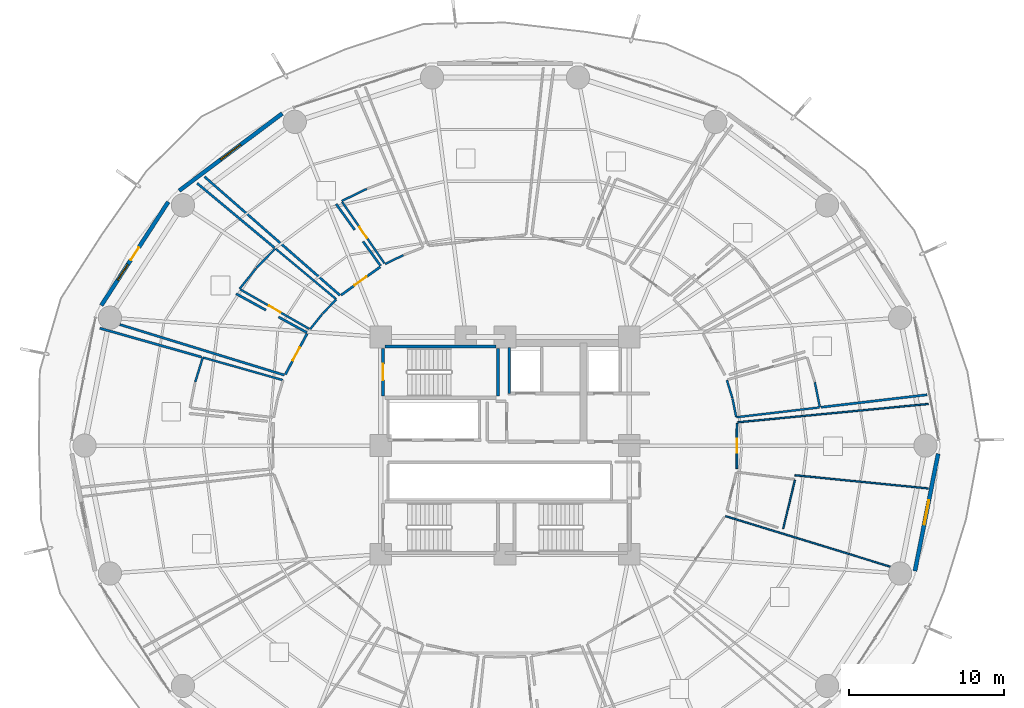
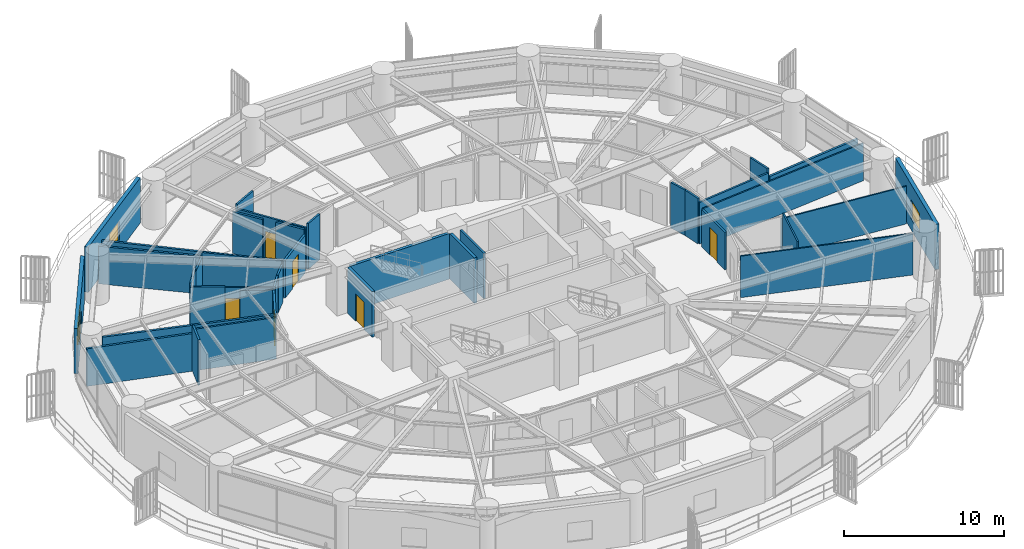
# One storey, part 24 of 32: 38 walls, 7 doors, 3 windows, 10 openings.
"""IFC4 building model written with IfcOpenShell, lengths in metres."""

from ifc_helpers import new_model, si_unit, direction, frame, frame_2d, origin, place, context, subcontext, project, spatial, rectangle, extrude, material, layer, layer_set, type_object, element, fill, save


model = new_model("IFC4")

# Units and contexts
model_context = context("Model", 3, precision=1e-05, world=origin(), true_north=direction((0.0, 1.0)))
body_context = subcontext(model_context, "Body", "Model", "MODEL_VIEW")
ifc_project = project(units=[si_unit("LENGTHUNIT", "METRE"), si_unit("AREAUNIT", "SQUARE_METRE"), si_unit("VOLUMEUNIT", "CUBIC_METRE"), si_unit("PLANEANGLEUNIT", "RADIAN"), si_unit("MASSUNIT", "GRAM", prefix="KILO")], contexts=[model_context])

# Site, building, storey
site_placement = place(None, origin())
site = spatial("IfcSite", under=ifc_project, at=site_placement, CompositionType="ELEMENT")
building_placement = place(site_placement, origin())
building = spatial("IfcBuilding", under=site, at=building_placement, Name="Kelanora Arch Commons", CompositionType="ELEMENT")
storey_placement = place(building_placement, frame((0.0, 0.0, 48.75)))
storey = spatial("IfcBuildingStorey", under=building, at=storey_placement, Name="L12", CompositionType="ELEMENT", Elevation=48.75)

# Wall
ifc_material_1 = material(Name="Autoclaved aerated concrete blockwork with fire plaster", Category="masonry")
ifc_layer_1 = layer(ifc_material_1, 0.14990234375)
ifc_layer_set_1 = layer_set([ifc_layer_1], Name="Autoclaved aerated concrete blockwork with fire plaster")
wall_type_1 = type_object("IfcWallType", Name="W-COMP-150", PredefinedType="PARTITIONING", material=ifc_layer_set_1)
wall_1_placement = place(storey_placement, frame((74.280029296875, 61.35009765625, 0.0), z_axis=(0.0, 0.0, 1.0), x_axis=(0.0, 1.0, 0.0)))
element("IfcWall", 1, at=wall_1_placement, inside=storey, type_object=wall_type_1, Name="Firefighting Lift 1 West Shaft Wall L12", PredefinedType="PARTITIONING", context=body_context, shape_type="SweptSolid", body=[
    extrude(rectangle(XDim=2.969970703125, YDim=0.14990234375, at=frame_2d((1.48486328125, 0.0))), origin(), (0.0, 0.0, 1.0), 3.47998046875),
])

# Wall, opening, door
wall_2_placement = place(storey_placement, frame((65.96337890625, 69.510986328125, 0.0), z_axis=(0.0, 0.0, 1.0), x_axis=(-0.811021116066, -0.585016879496, 0.0)))
wall_2 = element("IfcWall", 2, at=wall_2_placement, inside=storey, type_object=wall_type_1, Name="Co-Living Studio L12-05 Entry Partition", PredefinedType="PARTITIONING", context=body_context, shape_type="SweptSolid", body=[
    extrude(rectangle(XDim=3.105712890625, YDim=0.14990234375, at=frame_2d((1.552734375, 0.0))), origin(), (0.0, 0.0, 1.0), 2.875),
])
opening_1_placement = place(wall_2_placement, frame((1.077880859375, 0.0, 0.0)))
opening_1 = element("IfcOpeningElement", 3, at=opening_1_placement, cuts=wall_2, Name="Opening D-CLU1", PredefinedType="OPENING", context=body_context, shape_type="SweptSolid", body=[
    extrude(rectangle(XDim=0.949951171875, YDim=2.080078125, at=frame_2d((0.47509765625, 1.0400390625))), frame((0.0, 0.0849609375, 0.0), z_axis=(0.0, -1.0, 0.0), x_axis=(1.0, 0.0, 0.0)), (0.0, 0.0, 1.0), 0.169921875),
])
ifc_material_2 = material(Name="Solid-core acoustic timber cluster entry fire door", Category="wood")
door_type_1 = type_object("IfcDoorType", Name="D-CLU-95", OperationType="NOTDEFINED", PredefinedType="DOOR", material=ifc_material_2)
door_1_placement = place(opening_1_placement, origin())
door_1 = element("IfcDoor", 4, at=door_1_placement, inside=storey, type_object=door_type_1, Name="Co-Living Studio L12-05 Door", OperationType="SINGLE_SWING_RIGHT", OverallHeight=2.080078125, OverallWidth=0.949951171875, PredefinedType="DOOR", context=body_context, shape_type="SweptSolid", body=[
    extrude(rectangle(XDim=0.949951171875, YDim=2.080078125, at=frame_2d((0.47509765625, 1.0400390625))), frame((0.0, 0.02490234375, 0.0), z_axis=(0.0, -1.0, 0.0), x_axis=(1.0, 0.0, 0.0)), (0.0, 0.0, 1.0), 0.050048828125),
])
fill(opening_1, door_1)

wall_3_placement = place(storey_placement, frame((61.250732421875, 65.2060546875, 0.0), z_axis=(0.0, 0.0, 1.0), x_axis=(-0.470332327533, -0.882489377657, 0.0)))
wall_3 = element("IfcWall", 5, at=wall_3_placement, inside=storey, type_object=wall_type_1, Name="Co-Living Studio L12-06 Entry Partition", PredefinedType="PARTITIONING", context=body_context, shape_type="SweptSolid", body=[
    extrude(rectangle(XDim=2.97119140625, YDim=0.14990234375, at=frame_2d((1.485595703125, 0.0))), origin(), (0.0, 0.0, 1.0), 2.875),
])
opening_2_placement = place(wall_3_placement, frame((1.010986328125, 0.0, 0.0)))
opening_2 = element("IfcOpeningElement", 6, at=opening_2_placement, cuts=wall_3, Name="Opening D-CLU1", PredefinedType="OPENING", context=body_context, shape_type="SweptSolid", body=[
    extrude(rectangle(XDim=0.949951171875, YDim=2.080078125, at=frame_2d((0.47509765625, 1.0400390625))), frame((0.0, 0.0849609375, 0.0), z_axis=(0.0, -1.0, 0.0), x_axis=(1.0, 0.0, 0.0)), (0.0, 0.0, 1.0), 0.169921875),
])
door_2_placement = place(opening_2_placement, origin())
door_2 = element("IfcDoor", 7, at=door_2_placement, inside=storey, type_object=door_type_1, Name="Co-Living Studio L12-06 Door", OperationType="SINGLE_SWING_RIGHT", OverallHeight=2.080078125, OverallWidth=0.949951171875, PredefinedType="DOOR", context=body_context, shape_type="SweptSolid", body=[
    extrude(rectangle(XDim=0.949951171875, YDim=2.080078125, at=frame_2d((0.47509765625, 1.0400390625))), frame((0.0, 0.02490234375, 0.0), z_axis=(0.0, -1.0, 0.0), x_axis=(1.0, 0.0, 0.0)), (0.0, 0.0, 1.0), 0.050048828125),
])
fill(opening_2, door_2)

# Walls
wall_4_placement = place(storey_placement, frame((101.1923828125, 61.275390625, 0.0), z_axis=(0.0, 0.0, 1.0), x_axis=(-0.993130233211, -0.117014272133, 0.0)))
element("IfcWall", 8, at=wall_4_placement, inside=storey, type_object=wall_type_1, Name="Co-Living Studio L12-01 Enclosure Partition 5", PredefinedType="PARTITIONING", context=body_context, shape_type="SweptSolid", body=[
    extrude(rectangle(XDim=6.876953125, YDim=0.14990234375, at=frame_2d((3.4384765625, 0.0))), origin(), (0.0, 0.0, 1.0), 2.875),
])
wall_5_placement = place(storey_placement, frame((63.365966796875, 67.685302734375, 0.0), z_axis=(0.0, 0.0, 1.0), x_axis=(-0.752403187404, 0.658702849231, 0.0)))
element("IfcWall", 9, at=wall_5_placement, inside=storey, type_object=wall_type_1, Name="Co-Living Studio L12-05 Enclosure Partition 2", PredefinedType="PARTITIONING", context=body_context, shape_type="SweptSolid", body=[
    extrude(rectangle(XDim=11.5947265625, YDim=0.14990234375, at=frame_2d((5.79736328125, 0.0))), origin(), (0.0, 0.0, 1.0), 2.875),
])
wall_6_placement = place(storey_placement, frame((63.123291015625, 73.5576171875, 0.0), z_axis=(0.0, 0.0, 1.0), x_axis=(0.58432672942, -0.811518498425, 0.0)))
element("IfcWall", 10, at=wall_6_placement, inside=storey, type_object=wall_type_1, Name="Co-Living Studio L12-05 Enclosure Partition 7", PredefinedType="PARTITIONING", context=body_context, shape_type="SweptSolid", body=[
    extrude(rectangle(XDim=2.046142578125, YDim=0.14990234375, at=frame_2d((1.02294921875, 0.0))), origin(), (0.0, 0.0, 1.0), 3.175048828125),
])
wall_7_placement = place(storey_placement, frame((64.856689453125, 71.150634765625, 0.0), z_axis=(0.0, 0.0, 1.0), x_axis=(0.584298085417, -0.811539122519, 0.0)))
element("IfcWall", 11, at=wall_7_placement, inside=storey, type_object=wall_type_1, Name="Co-Living Studio L12-05 Enclosure Partition 7", PredefinedType="PARTITIONING", context=body_context, shape_type="SweptSolid", body=[
    extrude(rectangle(XDim=1.93701171875, YDim=0.14990234375, at=frame_2d((0.968505859375, 0.0))), origin(), (0.0, 0.0, 1.0), 3.235107421875),
])
wall_8_placement = place(storey_placement, frame((59.786865234375, 62.542724609375, 0.0), z_axis=(0.0, 0.0, 1.0), x_axis=(-0.955941269752, 0.29355798198, 0.0)))
element("IfcWall", 12, at=wall_8_placement, inside=storey, type_object=wall_type_1, Name="Co-Living Studio L12-06 Enclosure Partition 2", PredefinedType="PARTITIONING", context=body_context, shape_type="SweptSolid", body=[
    extrude(rectangle(XDim=11.08349609375, YDim=0.14990234375, at=frame_2d((5.541748046875, 0.0))), origin(), (0.0, 0.0, 1.0), 3.175048828125),
])
wall_9_placement = place(storey_placement, frame((54.172607421875, 74.896484375, 0.0), z_axis=(0.0, 0.0, 1.0), x_axis=(0.768100814479, -0.640328930157, 0.0)))
element("IfcWall", 13, at=wall_9_placement, inside=storey, type_object=wall_type_1, Name="Co-Living Studio L12-06 Enclosure Partition 5", PredefinedType="PARTITIONING", context=body_context, shape_type="SweptSolid", body=[
    extrude(rectangle(XDim=6.479248046875, YDim=0.14990234375, at=frame_2d((3.23974609375, 0.0))), origin(), (0.0, 0.0, 1.0), 2.875),
])
wall_10_placement = place(storey_placement, frame((56.677978515625, 67.78271484375, 0.0), z_axis=(0.0, 0.0, 1.0), x_axis=(0.876780673324, -0.480890477017, 0.0)))
element("IfcWall", 14, at=wall_10_placement, inside=storey, type_object=wall_type_1, Name="Co-Living Studio L12-06 Enclosure Partition 7", PredefinedType="PARTITIONING", context=body_context, shape_type="SweptSolid", body=[
    extrude(rectangle(XDim=2.197265625, YDim=0.14990234375, at=frame_2d((1.0986328125, 0.0))), origin(), (0.0, 0.0, 1.0), 3.175048828125),
])
wall_11_placement = place(storey_placement, frame((59.411376953125, 66.283447265625, 0.0), z_axis=(0.0, 0.0, 1.0), x_axis=(0.876772690424, -0.480905031505, 0.0)))
element("IfcWall", 15, at=wall_11_placement, inside=storey, type_object=wall_type_1, Name="Co-Living Studio L12-06 Enclosure Partition 7", PredefinedType="PARTITIONING", context=body_context, shape_type="SweptSolid", body=[
    extrude(rectangle(XDim=2.090087890625, YDim=0.14990234375, at=frame_2d((1.044921875, 0.0))), origin(), (0.0, 0.0, 1.0), 2.875),
])
wall_12_placement = place(storey_placement, frame((47.905517578125, 65.56005859375, 0.0), z_axis=(0.0, 0.0, 1.0), x_axis=(0.962107451281, -0.272670592821, 0.0)))
element("IfcWall", 16, at=wall_12_placement, inside=storey, type_object=wall_type_1, Name="Co-Living Studio L12-07 Enclosure Partition 5", PredefinedType="PARTITIONING", context=body_context, shape_type="SweptSolid", body=[
    extrude(rectangle(XDim=6.81103515625, YDim=0.14990234375, at=frame_2d((3.405517578125, 0.0))), origin(), (0.0, 0.0, 1.0), 2.875),
])

# Wall, opening, window
ifc_material_3 = material(Name="Precast concrete C40/50 with terracotta rainscreen", Category="masonry")
ifc_layer_2 = layer(ifc_material_3, 0.260009765625)
ifc_layer_set_2 = layer_set([ifc_layer_2], Name="Precast concrete C40/50 with terracotta rainscreen")
wall_type_2 = type_object("IfcWallType", Name="W-EXT-TC", PredefinedType="SOLIDWALL", material=ifc_layer_set_2)
wall_13_placement = place(storey_placement, frame((59.651123046875, 79.38916015625, 0.0), z_axis=(0.0, 0.0, 1.0), x_axis=(-0.80030733173, -0.599590005569, 0.0)))
wall_13 = element("IfcWall", 17, at=wall_13_placement, inside=storey, type_object=wall_type_2, Name="Terracotta Exterior Wall L12-B06", PredefinedType="SOLIDWALL", context=body_context, shape_type="SweptSolid", body=[
    extrude(rectangle(XDim=8.29052734375, YDim=0.260009765625, at=frame_2d((4.145263671875, 0.0))), origin(), (0.0, 0.0, 1.0), 3.47509765625),
])
opening_3_placement = place(wall_13_placement, frame((3.344970703125, 0.0, 0.85009765625)))
opening_3 = element("IfcOpeningElement", 18, at=opening_3_placement, cuts=wall_13, Name="Opening WN-01", PredefinedType="OPENING", context=body_context, shape_type="SweptSolid", body=[
    extrude(rectangle(XDim=1.60009765625, YDim=1.449951171875, at=frame_2d((0.800048828125, 0.72509765625))), frame((0.0, 0.14013671875, 0.0), z_axis=(0.0, -1.0, 0.0), x_axis=(1.0, 0.0, 0.0)), (0.0, 0.0, 1.0), 0.280029296875),
])
ifc_material_4 = material(Name="Terracotta-anodised aluminium frame with operable low-E glazing", Category="masonry")
window_type_1 = type_object("IfcWindowType", Name="WIN-CL-18", PartitioningType="DOUBLE_PANEL_VERTICAL", PredefinedType="WINDOW", material=ifc_material_4)
window_1_placement = place(opening_3_placement, origin())
window_1 = element("IfcWindow", 19, at=window_1_placement, inside=storey, type_object=window_type_1, Name="Co-Living Operable Window L12-B06", OverallHeight=1.449951171875, OverallWidth=1.60009765625, PartitioningType="SINGLE_PANEL", PredefinedType="WINDOW", context=body_context, shape_type="SweptSolid", body=[
    extrude(rectangle(XDim=1.60009765625, YDim=1.449951171875, at=frame_2d((0.800048828125, 0.72509765625))), frame((0.0, 0.030029296875, 0.0), z_axis=(0.0, -1.0, 0.0), x_axis=(1.0, 0.0, 0.0)), (0.0, 0.0, 1.0), 0.06005859375),
])
fill(opening_3, window_1)

# Wall, openings, door, window
wall_14_placement = place(storey_placement, frame((52.310791015625, 73.698486328125, 0.0), z_axis=(0.0, 0.0, 1.0), x_axis=(-0.543005114258, -0.839729388488, 0.0)))
wall_14 = element("IfcWall", 20, at=wall_14_placement, inside=storey, type_object=wall_type_2, Name="Terracotta Exterior Wall L12-B07", PredefinedType="SOLIDWALL", context=body_context, shape_type="SweptSolid", body=[
    extrude(rectangle(XDim=7.9375, YDim=0.260009765625, at=frame_2d((3.96875, 0.0))), origin(), (0.0, 0.0, 1.0), 3.47509765625),
])
opening_4_placement = place(wall_14_placement, frame((3.493896484375, 0.0, 0.0)))
opening_4 = element("IfcOpeningElement", 21, at=opening_4_placement, cuts=wall_14, Name="Opening DB-01", PredefinedType="OPENING", context=body_context, shape_type="SweptSolid", body=[
    extrude(rectangle(XDim=0.949951171875, YDim=2.10009765625, at=frame_2d((0.47509765625, 1.050048828125))), frame((0.0, 0.14013671875, 0.0), z_axis=(0.0, -1.0, 0.0), x_axis=(1.0, 0.0, 0.0)), (0.0, 0.0, 1.0), 0.280029296875),
])
opening_5_placement = place(wall_14_placement, frame((4.7939453125, 0.0, 0.85009765625)))
opening_5 = element("IfcOpeningElement", 22, at=opening_5_placement, cuts=wall_14, Name="Opening WN-02", PredefinedType="OPENING", context=body_context, shape_type="SweptSolid", body=[
    extrude(rectangle(XDim=1.199951171875, YDim=1.449951171875, at=frame_2d((0.60009765625, 0.72509765625))), frame((0.0, 0.14013671875, 0.0), z_axis=(0.0, -1.0, 0.0), x_axis=(1.0, 0.0, 0.0)), (0.0, 0.0, 1.0), 0.280029296875),
])
ifc_material_5 = material(Name="Terracotta-aluminium thermally broken glazed balcony door", Category="masonry")
door_type_2 = type_object("IfcDoorType", Name="D-BAL-10", OperationType="NOTDEFINED", PredefinedType="DOOR", material=ifc_material_5)
door_3_placement = place(opening_4_placement, frame((0.949951171875, 0.0, 0.0), z_axis=(0.0, 0.0, 1.0), x_axis=(-1.0, 0.0, 0.0)))
door_3 = element("IfcDoor", 23, at=door_3_placement, inside=storey, type_object=door_type_2, Name="Wave Balcony Door L12-B07", OperationType="SINGLE_SWING_RIGHT", OverallHeight=2.10009765625, OverallWidth=0.949951171875, PredefinedType="DOOR", context=body_context, shape_type="SweptSolid", body=[
    extrude(rectangle(XDim=0.949951171875, YDim=2.10009765625, at=frame_2d((0.47509765625, 1.050048828125))), frame((0.0, 0.02490234375, 0.0), z_axis=(0.0, -1.0, 0.0), x_axis=(1.0, 0.0, 0.0)), (0.0, 0.0, 1.0), 0.050048828125),
])
fill(opening_4, door_3)
ifc_material_6 = material(Name="Terracotta-anodised aluminium frame with operable awning sash", Category="masonry")
window_type_2 = type_object("IfcWindowType", Name="WIN-CL-12", PartitioningType="SINGLE_PANEL", PredefinedType="WINDOW", material=ifc_material_6)
window_2_placement = place(opening_5_placement, origin())
window_2 = element("IfcWindow", 24, at=window_2_placement, inside=storey, type_object=window_type_2, Name="Co-Living Operable Window L12-B07", OverallHeight=1.449951171875, OverallWidth=1.199951171875, PartitioningType="SINGLE_PANEL", PredefinedType="WINDOW", context=body_context, shape_type="SweptSolid", body=[
    extrude(rectangle(XDim=1.199951171875, YDim=1.449951171875, at=frame_2d((0.60009765625, 0.72509765625))), frame((0.0, 0.030029296875, 0.0), z_axis=(0.0, -1.0, 0.0), x_axis=(1.0, 0.0, 0.0)), (0.0, 0.0, 1.0), 0.06005859375),
])
fill(opening_5, window_2)

# Wall, opening, window
wall_15_placement = place(storey_placement, frame((100.404296875, 49.919921875, 0.0), z_axis=(0.0, 0.0, 1.0), x_axis=(0.193726159581, 0.98105564322, 0.0)))
wall_15 = element("IfcWall", 25, at=wall_15_placement, inside=storey, type_object=wall_type_2, Name="Terracotta Exterior Wall L12-B17", PredefinedType="SOLIDWALL", context=body_context, shape_type="SweptSolid", body=[
    extrude(rectangle(XDim=7.70263671875, YDim=0.260009765625, at=frame_2d((3.851318359375, 0.0))), origin(), (0.0, 0.0, 1.0), 3.47509765625),
])
opening_6_placement = place(wall_15_placement, frame((3.051025390625, 0.0, 0.85009765625)))
opening_6 = element("IfcOpeningElement", 26, at=opening_6_placement, cuts=wall_15, Name="Opening WN-01", PredefinedType="OPENING", context=body_context, shape_type="SweptSolid", body=[
    extrude(rectangle(XDim=1.60009765625, YDim=1.449951171875, at=frame_2d((0.800048828125, 0.72509765625))), frame((0.0, 0.14013671875, 0.0), z_axis=(0.0, -1.0, 0.0), x_axis=(1.0, 0.0, 0.0)), (0.0, 0.0, 1.0), 0.280029296875),
])
window_3_placement = place(opening_6_placement, origin())
window_3 = element("IfcWindow", 27, at=window_3_placement, inside=storey, type_object=window_type_1, Name="Co-Living Operable Window L12-B17", OverallHeight=1.449951171875, OverallWidth=1.60009765625, PartitioningType="SINGLE_PANEL", PredefinedType="WINDOW", context=body_context, shape_type="SweptSolid", body=[
    extrude(rectangle(XDim=1.60009765625, YDim=1.449951171875, at=frame_2d((0.800048828125, 0.72509765625))), frame((0.0, 0.030029296875, 0.0), z_axis=(0.0, -1.0, 0.0), x_axis=(1.0, 0.0, 0.0)), (0.0, 0.0, 1.0), 0.06005859375),
])
fill(opening_6, window_3)

# Walls
ifc_material_7 = material(Name="Lightweight fire-rated acoustic stud partition")
ifc_layer_3 = layer(ifc_material_7, 0.10009765625)
ifc_layer_set_3 = layer_set([ifc_layer_3], Name="Lightweight fire-rated acoustic stud partition")
wall_type_3 = type_object("IfcWallType", Name="W-PART-100", PredefinedType="PARTITIONING", material=ifc_layer_set_3)
wall_16_placement = place(storey_placement, frame((88.213134765625, 53.457275390625, 0.0), z_axis=(0.0, 0.0, 1.0), x_axis=(0.955941269752, -0.29355798198, 0.0)))
element("IfcWall", 28, at=wall_16_placement, inside=storey, type_object=wall_type_3, Name="Quiet Seminar Study Room L12-13 Enclosure Partition 2", PredefinedType="PARTITIONING", context=body_context, shape_type="SweptSolid", body=[
    extrude(rectangle(XDim=11.08349609375, YDim=0.10009765625, at=frame_2d((5.541748046875, 0.0))), origin(), (0.0, 0.0, 1.0), 3.175048828125),
])
wall_17_placement = place(storey_placement, frame((92.672607421875, 55.783203125, 0.0), z_axis=(0.0, 0.0, 1.0), x_axis=(-0.234509762348, -0.97211376462, 0.0)))
element("IfcWall", 29, at=wall_17_placement, inside=storey, type_object=wall_type_3, Name="Student Laundry Room L12-14 Enclosure Partition 3", PredefinedType="PARTITIONING", context=body_context, shape_type="SweptSolid", body=[
    extrude(rectangle(XDim=3.22412109375, YDim=0.10009765625, at=frame_2d((1.612060546875, 0.0))), origin(), (0.0, 0.0, 1.0), 3.47998046875),
])
wall_18_placement = place(storey_placement, frame((88.978759765625, 59.499755859375, 0.0), z_axis=(0.0, 0.0, 1.0), x_axis=(0.995408087514, 0.095722198638, 0.0)))
element("IfcWall", 30, at=wall_18_placement, inside=storey, type_object=wall_type_3, Name="Quiet Reading Carrel L12-14 Enclosure Partition 2", PredefinedType="PARTITIONING", context=body_context, shape_type="SweptSolid", body=[
    extrude(rectangle(XDim=12.35205078125, YDim=0.10009765625, at=frame_2d((6.176025390625, 0.0))), origin(), (0.0, 0.0, 1.0), 2.875),
])
wall_19_placement = place(storey_placement, frame((101.26416015625, 55.240966796875, 0.0), z_axis=(0.0, 0.0, 1.0), x_axis=(-0.995131682946, 0.098554216532, 0.0)))
element("IfcWall", 31, at=wall_19_placement, inside=storey, type_object=wall_type_3, Name="Quiet Reading Carrel L12-14 Enclosure Partition 4", PredefinedType="PARTITIONING", context=body_context, shape_type="SweptSolid", body=[
    extrude(rectangle(XDim=8.630615234375, YDim=0.10009765625, at=frame_2d((4.3154296875, 0.0))), origin(), (0.0, 0.0, 1.0), 2.875),
])

# Wall, opening, door
ifc_material_8 = material(Name="Acoustic twin-stud fire-rated gypsum partition")
ifc_layer_4 = layer(ifc_material_8, 0.1201171875)
ifc_layer_set_4 = layer_set([ifc_layer_4], Name="Acoustic twin-stud fire-rated gypsum partition")
wall_type_4 = type_object("IfcWallType", Name="W-PART-120", PredefinedType="PARTITIONING", material=ifc_layer_set_4)
wall_20_placement = place(storey_placement, frame((88.93408203125, 56.52197265625, 0.0), z_axis=(0.0, 0.0, 1.0), x_axis=(0.001675600865, 0.99999859618, 0.0)))
wall_20 = element("IfcWall", 32, at=wall_20_placement, inside=storey, type_object=wall_type_4, Name="Quiet Reading Carrel L12-14 Entry Partition", PredefinedType="PARTITIONING", context=body_context, shape_type="SweptSolid", body=[
    extrude(rectangle(XDim=2.9140625, YDim=0.1201171875, at=frame_2d((1.45703125, 0.0))), origin(), (0.0, 0.0, 1.0), 2.875),
])
opening_7_placement = place(wall_20_placement, frame((1.007080078125, 0.0, 0.0)))
opening_7 = element("IfcOpeningElement", 33, at=opening_7_placement, cuts=wall_20, Name="Opening D-RM1", PredefinedType="OPENING", context=body_context, shape_type="SweptSolid", body=[
    extrude(rectangle(XDim=0.89990234375, YDim=2.080078125, at=frame_2d((0.449951171875, 1.0400390625))), frame((0.0, 0.070068359375, 0.0), z_axis=(0.0, -1.0, 0.0), x_axis=(1.0, 0.0, 0.0)), (0.0, 0.0, 1.0), 0.14013671875),
])
ifc_material_9 = material(Name="Acoustic fire-rated timber study and lounge door", Category="wood")
door_type_3 = type_object("IfcDoorType", Name="D-ROOM-90", OperationType="NOTDEFINED", PredefinedType="DOOR", material=ifc_material_9)
door_4_placement = place(opening_7_placement, origin())
door_4 = element("IfcDoor", 34, at=door_4_placement, inside=storey, type_object=door_type_3, Name="Quiet Reading Carrel L12-14 Door", OperationType="SINGLE_SWING_RIGHT", OverallHeight=2.080078125, OverallWidth=0.89990234375, PredefinedType="DOOR", context=body_context, shape_type="SweptSolid", body=[
    extrude(rectangle(XDim=0.89990234375, YDim=2.080078125, at=frame_2d((0.449951171875, 1.0400390625))), frame((0.0, 0.02490234375, 0.0), z_axis=(0.0, -1.0, 0.0), x_axis=(1.0, 0.0, 0.0)), (0.0, 0.0, 1.0), 0.050048828125),
])
fill(opening_7, door_4)

# Walls
ifc_material_10 = material(Name="Concrete C40/50", Category="concrete")
ifc_layer_5 = layer(ifc_material_10, 0.199951171875)
ifc_layer_set_5 = layer_set([ifc_layer_5], Name="Concrete C40/50")
wall_type_5 = type_object("IfcWallType", Name="W-STAIR-200", PredefinedType="SHEAR", material=ifc_layer_set_5)
wall_21_placement = place(storey_placement, frame((73.5400390625, 61.199951171875, 0.0), z_axis=(0.0, 0.0, 1.0), x_axis=(0.0, 1.0, 0.0)))
element("IfcWall", 35, at=wall_21_placement, inside=storey, type_object=wall_type_5, Name="Stair ST-T1 Shaft Wall E L12", PredefinedType="SHEAR", context=body_context, shape_type="SweptSolid", body=[
    extrude(rectangle(XDim=3.070068359375, YDim=0.199951171875, at=frame_2d((1.53515625, 0.0))), origin(), (0.0, 0.0, 1.0), 3.489990234375),
])
wall_22_placement = place(storey_placement, frame((73.419921875, 64.389892578125, 0.0), z_axis=(0.0, 0.0, 1.0), x_axis=(-1.0, 0.0, 0.0)))
element("IfcWall", 36, at=wall_22_placement, inside=storey, type_object=wall_type_5, Name="Stair ST-T1 Shaft Wall N L12", PredefinedType="SHEAR", context=body_context, shape_type="SweptSolid", body=[
    extrude(rectangle(XDim=7.159912109375, YDim=0.199951171875, at=frame_2d((3.580078125, 0.0))), origin(), (0.0, 0.0, 1.0), 3.489990234375),
])

# Wall, opening, door
wall_23_placement = place(storey_placement, frame((66.139892578125, 64.27001953125, 0.0), z_axis=(0.0, 0.0, 1.0), x_axis=(0.0, -1.0, 0.0)))
wall_23 = element("IfcWall", 37, at=wall_23_placement, inside=storey, type_object=wall_type_5, Name="Stair ST-T1 Shaft Wall W L12", PredefinedType="SHEAR", context=body_context, shape_type="SweptSolid", body=[
    extrude(rectangle(XDim=3.070068359375, YDim=0.199951171875, at=frame_2d((1.53515625, 0.0))), origin(), (0.0, 0.0, 1.0), 3.489990234375),
])
opening_8_placement = place(wall_23_placement, frame((1.010009765625, 0.0, 0.0)))
opening_8 = element("IfcOpeningElement", 38, at=opening_8_placement, cuts=wall_23, Name="Opening D-ST1", PredefinedType="OPENING", context=body_context, shape_type="SweptSolid", body=[
    extrude(rectangle(XDim=1.050048828125, YDim=2.10009765625, at=frame_2d((0.52490234375, 1.050048828125))), frame((0.0, 0.10986328125, 0.0), z_axis=(0.0, -1.0, 0.0), x_axis=(1.0, 0.0, 0.0)), (0.0, 0.0, 1.0), 0.219970703125),
])
ifc_material_11 = material(Name="Steel fire-rated stairwell escape door", Category="steel")
door_type_4 = type_object("IfcDoorType", Name="D-STAIR-110", OperationType="NOTDEFINED", PredefinedType="DOOR", material=ifc_material_11)
door_5_placement = place(opening_8_placement, origin())
door_5 = element("IfcDoor", 39, at=door_5_placement, inside=storey, type_object=door_type_4, Name="Stair ST-T1 Escape Door L12", OperationType="SINGLE_SWING_LEFT", OverallHeight=2.10009765625, OverallWidth=1.050048828125, PredefinedType="DOOR", context=body_context, shape_type="SweptSolid", body=[
    extrude(rectangle(XDim=1.050048828125, YDim=2.10009765625, at=frame_2d((0.52490234375, 1.050048828125))), frame((0.0, 0.02490234375, 0.0), z_axis=(0.0, -1.0, 0.0), x_axis=(1.0, 0.0, 0.0)), (0.0, 0.0, 1.0), 0.050048828125),
])
fill(opening_8, door_5)

ifc_material_12 = material(Name="Moisture-resistant fire-rated cement-board plumbing wall")
ifc_layer_6 = layer(ifc_material_12, 0.1298828125)
ifc_layer_set_6 = layer_set([ifc_layer_6], Name="Moisture-resistant fire-rated cement-board plumbing wall")
wall_type_6 = type_object("IfcWallType", Name="W-WET-120", PredefinedType="PLUMBINGWALL", material=ifc_layer_set_6)
wall_24_placement = place(storey_placement, frame((66.235107421875, 69.73828125, 0.0), z_axis=(0.0, 0.0, 1.0), x_axis=(-0.567426867042, 0.823423797664, 0.0)))
wall_24 = element("IfcWall", 40, at=wall_24_placement, inside=storey, type_object=wall_type_6, Name="En-Suite Shower WC L12-05 Entry Partition", PredefinedType="PLUMBINGWALL", context=body_context, shape_type="SweptSolid", body=[
    extrude(rectangle(XDim=4.809326171875, YDim=0.1298828125, at=frame_2d((2.40478515625, 0.0))), origin(), (0.0, 0.0, 1.0), 3.175048828125),
])
opening_9_placement = place(wall_24_placement, frame((1.97509765625, 0.0, 0.0)))
opening_9 = element("IfcOpeningElement", 41, at=opening_9_placement, cuts=wall_24, Name="Opening D-BT1", PredefinedType="OPENING", context=body_context, shape_type="SweptSolid", body=[
    extrude(rectangle(XDim=0.860107421875, YDim=2.050048828125, at=frame_2d((0.43017578125, 1.02490234375))), frame((0.0, 0.074951171875, 0.0), z_axis=(0.0, -1.0, 0.0), x_axis=(1.0, 0.0, 0.0)), (0.0, 0.0, 1.0), 0.14990234375),
])
ifc_material_13 = material(Name="Moisture-sealed fire-rated accessible bathroom door")
door_type_5 = type_object("IfcDoorType", Name="D-BATH-85", OperationType="NOTDEFINED", PredefinedType="DOOR", material=ifc_material_13)
door_6_placement = place(opening_9_placement, origin())
door_6 = element("IfcDoor", 42, at=door_6_placement, inside=storey, type_object=door_type_5, Name="En-Suite Shower WC L12-05 Door", OperationType="SINGLE_SWING_LEFT", OverallHeight=2.050048828125, OverallWidth=0.860107421875, PredefinedType="DOOR", context=body_context, shape_type="SweptSolid", body=[
    extrude(rectangle(XDim=0.860107421875, YDim=2.050048828125, at=frame_2d((0.43017578125, 1.02490234375))), frame((0.0, 0.02490234375, 0.0), z_axis=(0.0, -1.0, 0.0), x_axis=(1.0, 0.0, 0.0)), (0.0, 0.0, 1.0), 0.050048828125),
])
fill(opening_9, door_6)

wall_25_placement = place(storey_placement, frame((61.389892578125, 65.518798828125, 0.0), z_axis=(0.0, 0.0, 1.0), x_axis=(-0.867813964862, 0.496889245598, 0.0)))
wall_25 = element("IfcWall", 43, at=wall_25_placement, inside=storey, type_object=wall_type_6, Name="En-Suite Shower WC L12-06 Entry Partition", PredefinedType="PLUMBINGWALL", context=body_context, shape_type="SweptSolid", body=[
    extrude(rectangle(XDim=5.11474609375, YDim=0.1298828125, at=frame_2d((2.557373046875, 0.0))), origin(), (0.0, 0.0, 1.0), 2.875),
])
opening_10_placement = place(wall_25_placement, frame((2.126953125, 0.0, 0.0)))
opening_10 = element("IfcOpeningElement", 44, at=opening_10_placement, cuts=wall_25, Name="Opening D-BT1", PredefinedType="OPENING", context=body_context, shape_type="SweptSolid", body=[
    extrude(rectangle(XDim=0.860107421875, YDim=2.050048828125, at=frame_2d((0.43017578125, 1.02490234375))), frame((0.0, 0.074951171875, 0.0), z_axis=(0.0, -1.0, 0.0), x_axis=(1.0, 0.0, 0.0)), (0.0, 0.0, 1.0), 0.14990234375),
])
door_7_placement = place(opening_10_placement, origin())
door_7 = element("IfcDoor", 45, at=door_7_placement, inside=storey, type_object=door_type_5, Name="En-Suite Shower WC L12-06 Door", OperationType="SINGLE_SWING_LEFT", OverallHeight=2.050048828125, OverallWidth=0.860107421875, PredefinedType="DOOR", context=body_context, shape_type="SweptSolid", body=[
    extrude(rectangle(XDim=0.860107421875, YDim=2.050048828125, at=frame_2d((0.43017578125, 1.02490234375))), frame((0.0, 0.02490234375, 0.0), z_axis=(0.0, -1.0, 0.0), x_axis=(1.0, 0.0, 0.0)), (0.0, 0.0, 1.0), 0.050048828125),
])
fill(opening_10, door_7)

# Walls
wall_26_placement = place(storey_placement, frame((88.89013671875, 59.845703125, 0.0), z_axis=(0.0, 0.0, 1.0), x_axis=(-0.195959765133, 0.980611936726, 0.0)))
element("IfcWall", 46, at=wall_26_placement, inside=storey, type_object=wall_type_6, Name="En-Suite Shower WC L12-01 Enclosure Partition 1", PredefinedType="PLUMBINGWALL", context=body_context, shape_type="SweptSolid", body=[
    extrude(rectangle(XDim=1.200927734375, YDim=0.1298828125, at=frame_2d((0.6005859375, 0.0))), origin(), (0.0, 0.0, 1.0), 3.47998046875),
])
wall_27_placement = place(storey_placement, frame((88.64501953125, 61.06201171875, 0.0), z_axis=(0.0, 0.0, 1.0), x_axis=(-0.292804953119, 0.956172191307, 0.0)))
element("IfcWall", 47, at=wall_27_placement, inside=storey, type_object=wall_type_6, Name="En-Suite Shower WC L12-01 Enclosure Partition 2", PredefinedType="PLUMBINGWALL", context=body_context, shape_type="SweptSolid", body=[
    extrude(rectangle(XDim=1.20556640625, YDim=0.1298828125, at=frame_2d((0.602783203125, 0.0))), origin(), (0.0, 0.0, 1.0), 3.47998046875),
])
wall_28_placement = place(storey_placement, frame((93.955078125, 62.079345703125, 0.0), z_axis=(0.0, 0.0, 1.0), x_axis=(0.198619685617, -0.980076640108, 0.0)))
element("IfcWall", 48, at=wall_28_placement, inside=storey, type_object=wall_type_6, Name="En-Suite Shower WC L12-01 Enclosure Partition 5", PredefinedType="PLUMBINGWALL", context=body_context, shape_type="SweptSolid", body=[
    extrude(rectangle(XDim=1.631103515625, YDim=0.1298828125, at=frame_2d((0.8154296875, 0.0))), origin(), (0.0, 0.0, 1.0), 3.47998046875),
])
wall_29_placement = place(storey_placement, frame((94.26318359375, 60.458740234375, 0.0), z_axis=(0.0, 0.0, 1.0), x_axis=(-0.993128310231, -0.117030591804, 0.0)))
element("IfcWall", 49, at=wall_29_placement, inside=storey, type_object=wall_type_6, Name="En-Suite Shower WC L12-01 Enclosure Partition 6", PredefinedType="PLUMBINGWALL", context=body_context, shape_type="SweptSolid", body=[
    extrude(rectangle(XDim=5.386474609375, YDim=0.1298828125, at=frame_2d((2.693359375, 0.0))), origin(), (0.0, 0.0, 1.0), 3.175048828125),
])
wall_30_placement = place(storey_placement, frame((67.450927734375, 70.26708984375, 0.0), z_axis=(0.0, 0.0, 1.0), x_axis=(-0.898275282077, -0.439433177639, 0.0)))
element("IfcWall", 50, at=wall_30_placement, inside=storey, type_object=wall_type_6, Name="En-Suite Shower WC L12-05 Enclosure Partition 2", PredefinedType="PLUMBINGWALL", context=body_context, shape_type="SweptSolid", body=[
    extrude(rectangle(XDim=1.295654296875, YDim=0.1298828125, at=frame_2d((0.64794921875, 0.0))), origin(), (0.0, 0.0, 1.0), 3.47998046875),
])
wall_31_placement = place(storey_placement, frame((63.489990234375, 73.756591796875, 0.0), z_axis=(0.0, 0.0, 1.0), x_axis=(0.899832096889, 0.436236400829, 0.0)))
element("IfcWall", 51, at=wall_31_placement, inside=storey, type_object=wall_type_6, Name="En-Suite Shower WC L12-05 Enclosure Partition 4", PredefinedType="PLUMBINGWALL", context=body_context, shape_type="SweptSolid", body=[
    extrude(rectangle(XDim=1.77587890625, YDim=0.1298828125, at=frame_2d((0.887939453125, 0.0))), origin(), (0.0, 0.0, 1.0), 3.47998046875),
])
wall_32_placement = place(storey_placement, frame((63.125, 67.40771484375, 0.0), z_axis=(0.0, 0.0, 1.0), x_axis=(-0.693342211096, -0.720608477824, 0.0)))
element("IfcWall", 52, at=wall_32_placement, inside=storey, type_object=wall_type_6, Name="En-Suite Shower WC L12-06 Enclosure Partition 1", PredefinedType="PLUMBINGWALL", context=body_context, shape_type="SweptSolid", body=[
    extrude(rectangle(XDim=1.253662109375, YDim=0.1298828125, at=frame_2d((0.626953125, 0.0))), origin(), (0.0, 0.0, 1.0), 2.875),
])
wall_33_placement = place(storey_placement, frame((62.2294921875, 66.474365234375, 0.0), z_axis=(0.0, 0.0, 1.0), x_axis=(-0.624263214868, -0.781214079854, 0.0)))
element("IfcWall", 53, at=wall_33_placement, inside=storey, type_object=wall_type_6, Name="En-Suite Shower WC L12-06 Enclosure Partition 2", PredefinedType="PLUMBINGWALL", context=body_context, shape_type="SweptSolid", body=[
    extrude(rectangle(XDim=1.2412109375, YDim=0.1298828125, at=frame_2d((0.62060546875, 0.0))), origin(), (0.0, 0.0, 1.0), 2.875),
])
wall_34_placement = place(storey_placement, frame((56.91162109375, 68.105712890625, 0.0), z_axis=(0.0, 0.0, 1.0), x_axis=(0.628152519701, 0.778090233837, 0.0)))
element("IfcWall", 54, at=wall_34_placement, inside=storey, type_object=wall_type_6, Name="En-Suite Shower WC L12-06 Enclosure Partition 4", PredefinedType="PLUMBINGWALL", context=body_context, shape_type="SweptSolid", body=[
    extrude(rectangle(XDim=1.693359375, YDim=0.1298828125, at=frame_2d((0.8466796875, 0.0))), origin(), (0.0, 0.0, 1.0), 3.175048828125),
])
wall_35_placement = place(storey_placement, frame((58.001953125, 69.453369140625, 0.0), z_axis=(0.0, 0.0, 1.0), x_axis=(0.697337129747, 0.716743278641, 0.0)))
element("IfcWall", 55, at=wall_35_placement, inside=storey, type_object=wall_type_6, Name="En-Suite Shower WC L12-06 Enclosure Partition 5", PredefinedType="PLUMBINGWALL", context=body_context, shape_type="SweptSolid", body=[
    extrude(rectangle(XDim=1.7109375, YDim=0.1298828125, at=frame_2d((0.85546875, 0.0))), origin(), (0.0, 0.0, 1.0), 2.875),
])
wall_36_placement = place(storey_placement, frame((59.224365234375, 70.68115234375, 0.0), z_axis=(0.0, 0.0, 1.0), x_axis=(0.768509127281, -0.63983882446, 0.0)))
element("IfcWall", 56, at=wall_36_placement, inside=storey, type_object=wall_type_6, Name="En-Suite Shower WC L12-06 Enclosure Partition 6", PredefinedType="PLUMBINGWALL", context=body_context, shape_type="SweptSolid", body=[
    extrude(rectangle(XDim=5.07373046875, YDim=0.1298828125, at=frame_2d((2.536865234375, 0.0))), origin(), (0.0, 0.0, 1.0), 3.175048828125),
])
wall_37_placement = place(storey_placement, frame((54.0478515625, 62.092041015625, 0.0), z_axis=(0.0, 0.0, 1.0), x_axis=(0.293405839872, 0.955987977502, 0.0)))
element("IfcWall", 57, at=wall_37_placement, inside=storey, type_object=wall_type_6, Name="En-Suite Shower WC L12-07 Enclosure Partition 5", PredefinedType="PLUMBINGWALL", context=body_context, shape_type="SweptSolid", body=[
    extrude(rectangle(XDim=1.64013671875, YDim=0.1298828125, at=frame_2d((0.820068359375, 0.0))), origin(), (0.0, 0.0, 1.0), 3.47998046875),
])
wall_38_placement = place(storey_placement, frame((54.55419921875, 63.673583984375, 0.0), z_axis=(0.0, 0.0, 1.0), x_axis=(0.962194506937, -0.272363233238, 0.0)))
element("IfcWall", 58, at=wall_38_placement, inside=storey, type_object=wall_type_6, Name="En-Suite Shower WC L12-07 Enclosure Partition 6", PredefinedType="PLUMBINGWALL", context=body_context, shape_type="SweptSolid", body=[
    extrude(rectangle(XDim=5.335205078125, YDim=0.1298828125, at=frame_2d((2.66748046875, 0.0))), origin(), (0.0, 0.0, 1.0), 3.175048828125),
])

save(model, "model.ifc")
